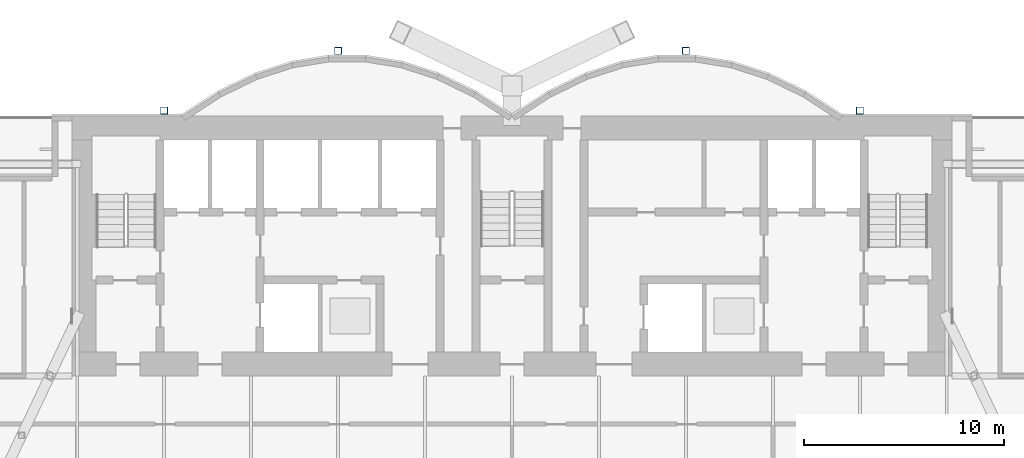
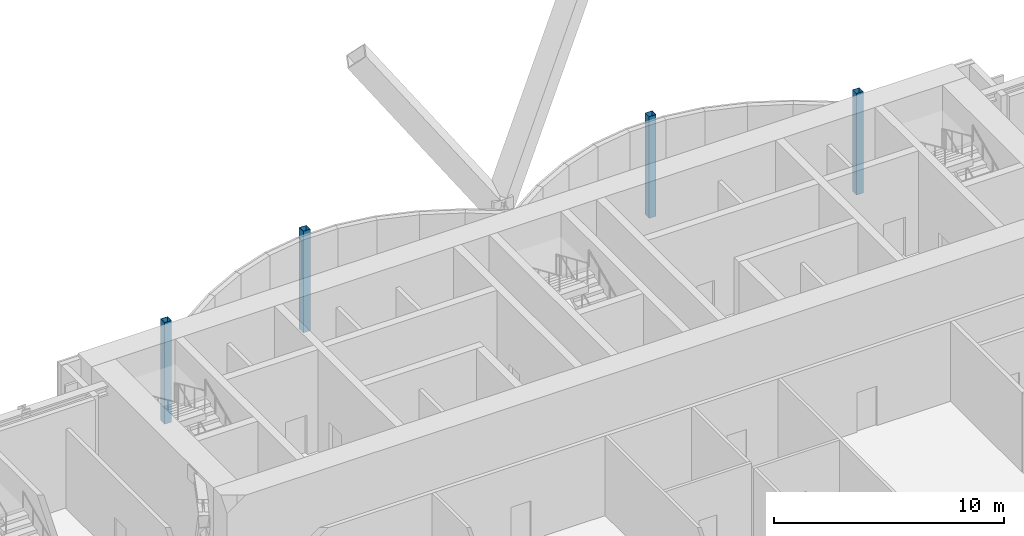
# One storey, part 2 of 32: 4 columns.
"""IFC4 building model written with IfcOpenShell, lengths in metres."""

from ifc_helpers import new_model, si_unit, direction, frame, origin, origin_2d, place, context, subcontext, project, spatial, hollow_rectangle, extrude, material, material_profile, profile_set, type_object, element, save


model = new_model("IFC4")

# Units and contexts
model_context = context("Model", 3, precision=1e-05, world=origin(), true_north=direction((0.0, 1.0)))
body_context = subcontext(model_context, "Body", "Model", "MODEL_VIEW")
ifc_project = project(units=[si_unit("LENGTHUNIT", "METRE"), si_unit("AREAUNIT", "SQUARE_METRE"), si_unit("VOLUMEUNIT", "CUBIC_METRE"), si_unit("PLANEANGLEUNIT", "RADIAN"), si_unit("MASSUNIT", "GRAM", prefix="KILO")], contexts=[model_context])

# Site, building, storey
site_placement = place(None, origin())
site = spatial("IfcSite", under=ifc_project, at=site_placement, CompositionType="ELEMENT")
building_placement = place(site_placement, origin())
building = spatial("IfcBuilding", under=site, at=building_placement, Name="Bicima Exchange Tower", CompositionType="ELEMENT")
storey_placement = place(building_placement, frame((0.0, 0.0, 135.0)))
storey = spatial("IfcBuildingStorey", under=building, at=storey_placement, Name="L29", CompositionType="ELEMENT", Elevation=135.0)

# Columns
ifc_material = material(Name="Steel ASTM A572 Gr 50", Category="steel")
ifc_material_profile = material_profile(ifc_material, hollow_rectangle(XDim=0.355712890625, YDim=0.355712890625, WallThickness=0.01171875, at=origin_2d()))
ifc_profile_set = profile_set([ifc_material_profile], Name="Steel ASTM A572 Gr 50")
column_type = type_object("IfcColumnType", Name="Rear pilaster HSS14x14x1/2", PredefinedType="COLUMN", material=ifc_profile_set)
for number, where, z_axis, x_axis, name in (
    (1, (-8.699951171875, 3.26904296875, 0.0), (0.0, 0.0, 1.0), (1.0, 0.0, 0.0), "Rear pilaster rexo-8.7r"),
    (2, (-17.39990234375, 0.278076171875, 0.0), (0.0, 0.0, 1.0), (1.0, 0.0, 0.0), "Rear pilaster rexo-17.4r"),
    (3, (8.699951171875, 3.26904296875, 0.0), (0.0, 0.0, 1.0), (1.0, 0.0, 0.0), "Rear pilaster rexo+8.7r"),
    (4, (17.39990234375, 0.278076171875, 0.0), (0.0, 0.0, 1.0), (1.0, 0.0, 0.0), "Rear pilaster rexo+17.4r"),
):
    element("IfcColumn", number, at=place(storey_placement, frame(where, z_axis=z_axis, x_axis=x_axis)), inside=storey, type_object=column_type, Name=name, PredefinedType="COLUMN", context=body_context, shape_type="SweptSolid", body=[
        extrude(hollow_rectangle(XDim=0.355712890625, YDim=0.355712890625, WallThickness=0.01171875, at=origin_2d()), origin(), (0.0, 0.0, 1.0), 5.39990234375),
    ])

save(model, "model.ifc")
